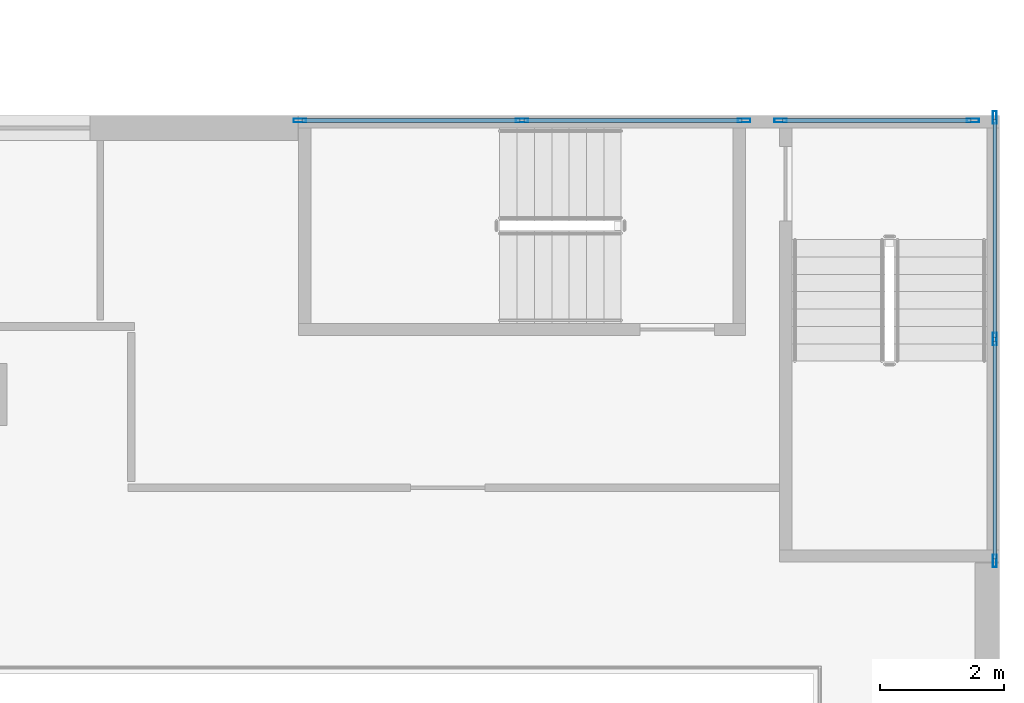
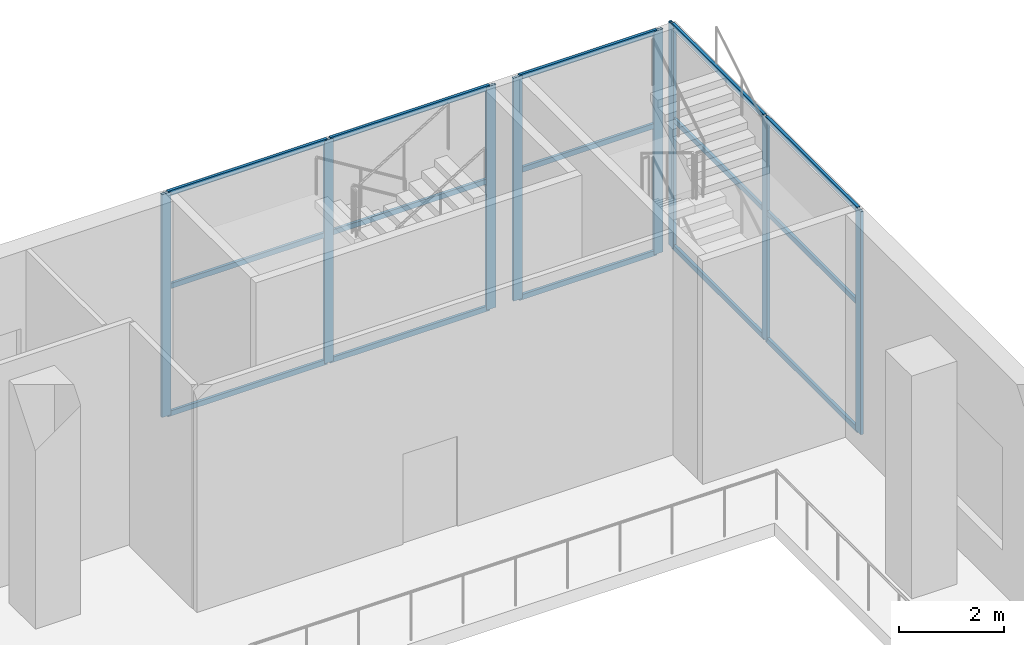
# One storey, part 7 of 23: 23 members, 3 elements without a shape of their own.
"""IFC4 building model written with IfcOpenShell, lengths in metres."""

import ifcopenshell
import ifcopenshell.guid

model = None  # the IFC model being written
_history = None  # IfcOwnerHistory: only IFC2X3 demands one
_inside = {}  # id of a spatial element -> (the spatial element, [elements in it])
_under = {}  # id of a project, library or spatial element -> (it, [spatial elements below it])
_declared = {}  # id of a project -> (the project, [libraries it declares])
_typed = {}  # id of a type object -> (the type object, [elements of that type])
_made_of = {}  # id of a material, layer set ... -> (it, [elements and type objects made of it])


def new_model(schema):
    """Start an empty IFC model of exactly this schema.

    Asked for "IFC4X3", IfcOpenShell would pick the latest addendum, in which some entities
    have other attributes; the version numbers below select the first issue.
    IFC2X3 requires an IfcOwnerHistory on every rooted entity: one is made here for all.
    """
    global model, _history
    if schema == "IFC4X3":
        model = ifcopenshell.file(schema_version=(4, 3, 0, 0))
    else:
        model = ifcopenshell.file(schema=schema)
    _inside.clear()
    _under.clear()
    _declared.clear()
    _typed.clear()
    _made_of.clear()
    _history = None
    if model.schema == "IFC2X3":
        org = make("IfcOrganization", Name="unknown")
        user = make(
            "IfcPersonAndOrganization",
            ThePerson=make("IfcPerson", FamilyName="unknown"),
            TheOrganization=org,
        )
        app = make(
            "IfcApplication",
            ApplicationDeveloper=org,
            Version="unknown",
            ApplicationFullName="unknown",
            ApplicationIdentifier="unknown",
        )
        _history = make(
            "IfcOwnerHistory",
            OwningUser=user,
            OwningApplication=app,
            ChangeAction="ADDED",
            CreationDate=0,
        )
    return model


def make(cls, **values):
    """One entity of the class cls with the attributes given. An attribute that is None is left unset."""
    return model.create_entity(
        cls, **{name: value for name, value in values.items() if value is not None}
    )


def rooted(cls, **values):
    """An entity with a GlobalId (a new one), such as an element, a storey or a relation."""
    return make(cls, GlobalId=ifcopenshell.guid.new(), OwnerHistory=_history, **values)


def si_unit(unit_type, name, prefix=None):
    """IfcSIUnit, for example si_unit("LENGTHUNIT", "METRE", prefix="MILLI")."""
    return make("IfcSIUnit", UnitType=unit_type, Prefix=prefix, Name=name)


def assignment(units):
    """IfcUnitAssignment: the units of a project."""
    return None if units is None else make("IfcUnitAssignment", Units=units)


def point(xyz):
    """IfcCartesianPoint."""
    return None if xyz is None else make("IfcCartesianPoint", Coordinates=xyz)


def direction(xyz):
    """IfcDirection."""
    return None if xyz is None else make("IfcDirection", DirectionRatios=xyz)


def frame(location, z_axis=None, x_axis=None):
    """IfcAxis2Placement3D, a coordinate frame: its origin and axes. An axis left out is left unset."""
    return make(
        "IfcAxis2Placement3D",
        Location=point(location),
        Axis=direction(z_axis),
        RefDirection=direction(x_axis),
    )


def frame_2d(location, x_axis=None):
    """IfcAxis2Placement2D, a coordinate frame in the plane: its origin and x axis."""
    return make(
        "IfcAxis2Placement2D", Location=point(location), RefDirection=direction(x_axis)
    )


def origin():
    """The frame at (0, 0, 0) with its axes left unset."""
    return frame((0.0, 0.0, 0.0))


def origin_2d():
    """The frame at (0, 0) in the plane with its x axis left unset."""
    return frame_2d((0.0, 0.0))


def place(relative_to, where):
    """IfcLocalPlacement: puts the frame where relative to a parent placement (None: the world)."""
    return make(
        "IfcLocalPlacement", PlacementRelTo=relative_to, RelativePlacement=where
    )


def context(
    kind, dimensions, precision=None, world=None, true_north=None, identifier=None
):
    """IfcGeometricRepresentationContext, for example the 3D "Model" context."""
    return make(
        "IfcGeometricRepresentationContext",
        ContextIdentifier=identifier,
        ContextType=kind,
        CoordinateSpaceDimension=dimensions,
        Precision=precision,
        WorldCoordinateSystem=world,
        TrueNorth=true_north,
    )


def subcontext(parent, identifier, kind, view, scale=None):
    """IfcGeometricRepresentationSubContext, for example "Body" below "Model"."""
    return make(
        "IfcGeometricRepresentationSubContext",
        ContextIdentifier=identifier,
        ContextType=kind,
        ParentContext=parent,
        TargetScale=scale,
        TargetView=view,
    )


def project(units=None, contexts=None):
    """IfcProject with its units and contexts."""
    return rooted(
        "IfcProject",
        Name="project",
        RepresentationContexts=contexts,
        UnitsInContext=assignment(units),
    )


def spatial(cls, under=None, at=None, **own):
    """A site, building, storey or space (cls), placed at a placement, below another one or the project."""
    s = rooted(cls, ObjectPlacement=at, **own)
    if under is not None:
        _under.setdefault(under.id(), (under, []))[1].append(s)
    return s


def profile(cls, at=None, kind="AREA", **sizes):
    """A parametric profile (cls). Its sizes go by their IFC names, for example OverallWidth=200.0."""
    return make(cls, ProfileType=kind, Position=at, **sizes)


def hollow_rectangle(**sizes):
    """IfcRectangleHollowProfileDef."""
    return profile("IfcRectangleHollowProfileDef", **sizes)


def extrude(swept, where, along, depth):
    """IfcExtrudedAreaSolid: the profile swept, set in the frame where, extruded along a direction by depth."""
    return make(
        "IfcExtrudedAreaSolid",
        SweptArea=swept,
        Position=where,
        ExtrudedDirection=direction(along),
        Depth=depth,
    )


def shape(context_of_items, identifier, shape_type, items):
    """IfcShapeRepresentation: the items that make up one representation, for example the "Body"."""
    return make(
        "IfcShapeRepresentation",
        ContextOfItems=context_of_items,
        RepresentationIdentifier=identifier,
        RepresentationType=shape_type,
        Items=items,
    )


def source(mapping_origin, context_of_items, identifier, shape_type, items):
    """IfcRepresentationMap: a shape defined once, which mapped items show again and again."""
    return make(
        "IfcRepresentationMap",
        MappingOrigin=mapping_origin,
        MappedRepresentation=shape(context_of_items, identifier, shape_type, items),
    )


def transform(
    local_origin,
    x_axis=None,
    y_axis=None,
    z_axis=None,
    scale=None,
    scale2=None,
    scale3=None,
    uniform=True,
):
    """IfcCartesianTransformationOperator3D, or its non-uniform kind. x_axis, y_axis, z_axis: its Axis1, 2, 3."""
    if uniform:
        return make(
            "IfcCartesianTransformationOperator3D",
            Axis1=direction(x_axis),
            Axis2=direction(y_axis),
            LocalOrigin=point(local_origin),
            Scale=scale,
            Axis3=direction(z_axis),
        )
    return make(
        "IfcCartesianTransformationOperator3DnonUniform",
        Axis1=direction(x_axis),
        Axis2=direction(y_axis),
        LocalOrigin=point(local_origin),
        Scale=scale,
        Axis3=direction(z_axis),
        Scale2=scale2,
        Scale3=scale3,
    )


def mapped(mapping_source, mapping_target):
    """IfcMappedItem: shows the shape of a source again, moved by a transform."""
    return make(
        "IfcMappedItem", MappingSource=mapping_source, MappingTarget=mapping_target
    )


def material(Name=None, Category=None):
    """IfcMaterial."""
    return make("IfcMaterial", Name=Name, Category=Category)


def material_profile(
    of_material, cross_section, Name=None, Category=None, Priority=None
):
    """IfcMaterialProfile: a cross section and its material."""
    return make(
        "IfcMaterialProfile",
        Name=Name,
        Material=of_material,
        Profile=cross_section,
        Priority=Priority,
        Category=Category,
    )


def profile_set(profiles, Name=None, composite=None):
    """IfcMaterialProfileSet."""
    return make(
        "IfcMaterialProfileSet",
        Name=Name,
        MaterialProfiles=profiles,
        CompositeProfile=composite,
    )


def made_of(thing, what):
    """Note that an element or type object is made of a material, layer set ...; save() writes the relation."""
    if what is not None:
        _made_of.setdefault(what.id(), (what, []))[1].append(thing)
    return thing


def type_object(cls, material=None, **own):
    """A type object (cls), such as IfcWallType, which elements share."""
    return made_of(rooted(cls, **own), material)


def element(
    cls,
    number,
    at=None,
    inside=None,
    cuts=None,
    type_object=None,
    material=None,
    context=None,
    identifier="Body",
    shape_type=None,
    held_by="IfcProductDefinitionShape",
    body=None,
    shapes=None,
    **own,
):
    """One element of the class cls, such as IfcWall. Its Tag is "e" and its number.

    at: its placement. inside: the storey or other place that contains it. cuts: it is an
    opening in that element (IfcRelVoidsElement). A single representation is given by context,
    identifier, shape_type and body (its items); several are given by shapes. held_by: the class
    of the entity that holds the representations. save() writes the other relations.
    """
    e = rooted(cls, Tag="e%d" % number, ObjectPlacement=at, **own)
    if body is not None:
        shapes = [shape(context, identifier, shape_type, body)]
    if shapes is not None:
        e.Representation = make(held_by, Representations=shapes)
    if inside is not None:
        _inside.setdefault(inside.id(), (inside, []))[1].append(e)
    if cuts is not None:
        rooted(
            "IfcRelVoidsElement", RelatingBuildingElement=cuts, RelatedOpeningElement=e
        )
    if type_object is not None:
        _typed.setdefault(type_object.id(), (type_object, []))[1].append(e)
    return made_of(e, material)


def aggregate(whole, parts):
    """IfcRelAggregates: a whole, such as a stair, and the parts it consists of."""
    return rooted("IfcRelAggregates", RelatingObject=whole, RelatedObjects=parts)


def save(model, path):
    """Write the relations noted so far, then the file.

    IfcRelAggregates (storeys below a building ...), IfcRelContainedInSpatialStructure (elements
    in a storey), IfcRelDefinesByType, IfcRelAssociatesMaterial and IfcRelDeclares: one each for
    every whole, place, type object, material and project.
    """
    for whole, parts in _under.values():
        aggregate(whole, parts)
    for where, things in _inside.values():
        rooted(
            "IfcRelContainedInSpatialStructure",
            RelatedElements=things,
            RelatingStructure=where,
        )
    for kind, things in _typed.values():
        rooted("IfcRelDefinesByType", RelatedObjects=things, RelatingType=kind)
    for what, things in _made_of.values():
        rooted("IfcRelAssociatesMaterial", RelatedObjects=things, RelatingMaterial=what)
    for by, libraries in _declared.values():
        rooted("IfcRelDeclares", RelatingContext=by, RelatedDefinitions=libraries)
    model.write(path)


model = new_model("IFC4")

# Units and contexts
model_context = context("Model", 3, precision=1e-05, world=origin(), true_north=direction((0.0, 1.0)))
body_context = subcontext(model_context, "Body", "Model", "MODEL_VIEW")
ifc_project = project(units=[si_unit("LENGTHUNIT", "METRE"), si_unit("AREAUNIT", "SQUARE_METRE"), si_unit("VOLUMEUNIT", "CUBIC_METRE"), si_unit("PLANEANGLEUNIT", "RADIAN"), si_unit("MASSUNIT", "GRAM", prefix="KILO")], contexts=[model_context])

# Site, building, storey
site_placement = place(None, origin())
site = spatial("IfcSite", under=ifc_project, at=site_placement, CompositionType="ELEMENT")
building_placement = place(site_placement, origin())
building = spatial("IfcBuilding", under=site, at=building_placement, Name="Khomas Fold Tower", CompositionType="ELEMENT")
storey_placement = place(building_placement, frame((0.0, 0.0, 7.5)))
storey = spatial("IfcBuildingStorey", under=building, at=storey_placement, Name="L01", CompositionType="ELEMENT", Elevation=7.5)

# Curtain wall, members
ifc_material_1 = material(Name="Aluminium framed double glazing", Category="aluminium")
curtain_wall_type = type_object("IfcCurtainWallType", Name="Shopfront glazing PD-CW", PredefinedType="NOTDEFINED", material=ifc_material_1)
curtain_wall_1_placement = place(storey_placement, origin())
curtain_wall_1 = element("IfcCurtainWall", 1, at=curtain_wall_1_placement, inside=storey, type_object=curtain_wall_type, Name="Podium stair-tower glazing", PredefinedType="NOTDEFINED")
ifc_material_2 = material(Name="Aluminium", Category="aluminium")
ifc_material_profile_1 = material_profile(ifc_material_2, hollow_rectangle(XDim=0.06005859375, YDim=0.199951171875, WallThickness=0.00390625, at=origin_2d()), Name="Shopfront glazing mullion PD-CW-M")
ifc_profile_set_1 = profile_set([ifc_material_profile_1], Name="Aluminium")
member_type_1 = type_object("IfcMemberType", Name="Shopfront glazing mullion PD-CW-M", PredefinedType="MULLION", material=ifc_profile_set_1)
shared_shape_1 = source(origin(), body_context, "Body", "SweptSolid", [
    extrude(hollow_rectangle(XDim=0.06005859375, YDim=0.199951171875, WallThickness=0.00390625, at=origin_2d()), origin(), (0.0, 0.0, 1.0), 5.199951171875),
])
member_1_placement = place(storey_placement, frame((80.919921875, 46.820068359375, 0.0), z_axis=(0.0, 0.0, 1.0), x_axis=(-1.0, 0.0, 0.0)))
member_1 = element("IfcMember", 2, at=member_1_placement, type_object=member_type_1, Name="PD-CW mullion 1", PredefinedType="MULLION", context=body_context, shape_type="MappedRepresentation", body=[
    mapped(shared_shape_1, transform((0.0, 0.0, 0.0))),
])
member_2_placement = place(storey_placement, frame((80.919921875, 50.39501953125, 0.0), z_axis=(0.0, 0.0, 1.0), x_axis=(-1.0, 0.0, 0.0)))
member_2 = element("IfcMember", 3, at=member_2_placement, type_object=member_type_1, Name="PD-CW mullion 2", PredefinedType="MULLION", context=body_context, shape_type="MappedRepresentation", body=[
    mapped(shared_shape_1, transform((0.0, 0.0, 0.0))),
])
member_3_placement = place(storey_placement, frame((80.919921875, 53.969970703125, 0.0), z_axis=(0.0, 0.0, 1.0), x_axis=(-1.0, 0.0, 0.0)))
member_3 = element("IfcMember", 4, at=member_3_placement, type_object=member_type_1, Name="PD-CW mullion 3", PredefinedType="MULLION", context=body_context, shape_type="MappedRepresentation", body=[
    mapped(shared_shape_1, transform((0.0, 0.0, 0.0))),
])

curtain_wall_2_placement = place(storey_placement, origin())
curtain_wall_2 = element("IfcCurtainWall", 5, at=curtain_wall_2_placement, inside=storey, type_object=curtain_wall_type, Name="Podium stair-tower glazing", PredefinedType="NOTDEFINED")
member_4_placement = place(storey_placement, frame((80.570068359375, 53.919921875, 0.0), z_axis=(0.0, 0.0, 1.0), x_axis=(0.0, -1.0, 0.0)))
member_4 = element("IfcMember", 6, at=member_4_placement, type_object=member_type_1, Name="PD-CW mullion 1", PredefinedType="MULLION", context=body_context, shape_type="MappedRepresentation", body=[
    mapped(shared_shape_1, transform((0.0, 0.0, 0.0))),
])
member_5_placement = place(storey_placement, frame((77.469970703125, 53.919921875, 0.0), z_axis=(0.0, 0.0, 1.0), x_axis=(0.0, -1.0, 0.0)))
member_5 = element("IfcMember", 7, at=member_5_placement, type_object=member_type_1, Name="PD-CW mullion 2", PredefinedType="MULLION", context=body_context, shape_type="MappedRepresentation", body=[
    mapped(shared_shape_1, transform((0.0, 0.0, 0.0))),
])

curtain_wall_3_placement = place(storey_placement, origin())
curtain_wall_3 = element("IfcCurtainWall", 8, at=curtain_wall_3_placement, inside=storey, type_object=curtain_wall_type, Name="Podium stair-tower glazing", PredefinedType="NOTDEFINED")
member_6_placement = place(storey_placement, frame((76.8798828125, 53.919921875, 0.0), z_axis=(0.0, 0.0, 1.0), x_axis=(0.0, -1.0, 0.0)))
member_6 = element("IfcMember", 9, at=member_6_placement, type_object=member_type_1, Name="PD-CW mullion 1", PredefinedType="MULLION", context=body_context, shape_type="MappedRepresentation", body=[
    mapped(shared_shape_1, transform((0.0, 0.0, 0.0))),
])
member_7_placement = place(storey_placement, frame((73.300048828125, 53.919921875, 0.0), z_axis=(0.0, 0.0, 1.0), x_axis=(0.0, -1.0, 0.0)))
member_7 = element("IfcMember", 10, at=member_7_placement, type_object=member_type_1, Name="PD-CW mullion 2", PredefinedType="MULLION", context=body_context, shape_type="MappedRepresentation", body=[
    mapped(shared_shape_1, transform((0.0, 0.0, 0.0))),
])
member_8_placement = place(storey_placement, frame((69.719970703125, 53.919921875, 0.0), z_axis=(0.0, 0.0, 1.0), x_axis=(0.0, -1.0, 0.0)))
member_8 = element("IfcMember", 11, at=member_8_placement, type_object=member_type_1, Name="PD-CW mullion 3", PredefinedType="MULLION", context=body_context, shape_type="MappedRepresentation", body=[
    mapped(shared_shape_1, transform((0.0, 0.0, 0.0))),
])

# Member
ifc_material_3 = material(Name="Aluminium", Category="aluminium")
ifc_material_profile_2 = material_profile(ifc_material_3, hollow_rectangle(XDim=0.06005859375, YDim=0.1201171875, WallThickness=0.00390625, at=origin_2d()), Name="Shopfront glazing transom PD-CW-T")
ifc_profile_set_2 = profile_set([ifc_material_profile_2], Name="Aluminium")
member_type_2 = type_object("IfcMemberType", Name="Shopfront glazing transom PD-CW-T", PredefinedType="USERDEFINED", material=ifc_profile_set_2)
shared_shape_2 = source(origin(), body_context, "Body", "SweptSolid", [
    extrude(hollow_rectangle(XDim=0.06005859375, YDim=0.1201171875, WallThickness=0.00390625, at=origin_2d()), origin(), (0.0, 0.0, 1.0), 3.0400390625),
])
member_9_placement = place(storey_placement, frame((80.5400390625, 53.919921875, 0.030029296875), z_axis=(-1.0, 0.0, 0.0), x_axis=(0.0, -1.0, 0.0)))
member_9 = element("IfcMember", 12, at=member_9_placement, type_object=member_type_2, Name="PD-CW transom 1.1", ObjectType="TRANSOM", PredefinedType="USERDEFINED", context=body_context, shape_type="MappedRepresentation", body=[
    mapped(shared_shape_2, transform((0.0, 0.0, 0.0))),
])

member_10_placement = place(storey_placement, frame((80.5400390625, 53.919921875, 3.0), z_axis=(-1.0, 0.0, 0.0), x_axis=(0.0, -1.0, 0.0)))
member_10 = element("IfcMember", 13, at=member_10_placement, type_object=member_type_2, Name="PD-CW transom 1.2", ObjectType="TRANSOM", PredefinedType="USERDEFINED", context=body_context, shape_type="MappedRepresentation", body=[
    mapped(shared_shape_2, transform((0.0, 0.0, 0.0))),
])

member_11_placement = place(storey_placement, frame((80.5400390625, 53.919921875, 5.169921875), z_axis=(-1.0, 0.0, 0.0), x_axis=(0.0, -1.0, 0.0)))
member_11 = element("IfcMember", 14, at=member_11_placement, type_object=member_type_2, Name="PD-CW transom 1.3", ObjectType="TRANSOM", PredefinedType="USERDEFINED", context=body_context, shape_type="MappedRepresentation", body=[
    mapped(shared_shape_2, transform((0.0, 0.0, 0.0))),
])

aggregate(curtain_wall_2, [member_4, member_5, member_9, member_10, member_11])

shared_shape_3 = source(origin(), body_context, "Body", "SweptSolid", [
    extrude(hollow_rectangle(XDim=0.06005859375, YDim=0.1201171875, WallThickness=0.00390625, at=origin_2d()), origin(), (0.0, 0.0, 1.0), 3.52001953125),
])
member_12_placement = place(storey_placement, frame((76.85009765625, 53.919921875, 0.030029296875), z_axis=(-1.0, 0.0, 0.0), x_axis=(0.0, -1.0, 0.0)))
member_12 = element("IfcMember", 15, at=member_12_placement, type_object=member_type_2, Name="PD-CW transom 1.1", ObjectType="TRANSOM", PredefinedType="USERDEFINED", context=body_context, shape_type="MappedRepresentation", body=[
    mapped(shared_shape_3, transform((0.0, 0.0, 0.0))),
])

member_13_placement = place(storey_placement, frame((76.85009765625, 53.919921875, 3.0), z_axis=(-1.0, 0.0, 0.0), x_axis=(0.0, -1.0, 0.0)))
member_13 = element("IfcMember", 16, at=member_13_placement, type_object=member_type_2, Name="PD-CW transom 1.2", ObjectType="TRANSOM", PredefinedType="USERDEFINED", context=body_context, shape_type="MappedRepresentation", body=[
    mapped(shared_shape_3, transform((0.0, 0.0, 0.0))),
])

member_14_placement = place(storey_placement, frame((76.85009765625, 53.919921875, 5.169921875), z_axis=(-1.0, 0.0, 0.0), x_axis=(0.0, -1.0, 0.0)))
member_14 = element("IfcMember", 17, at=member_14_placement, type_object=member_type_2, Name="PD-CW transom 1.3", ObjectType="TRANSOM", PredefinedType="USERDEFINED", context=body_context, shape_type="MappedRepresentation", body=[
    mapped(shared_shape_3, transform((0.0, 0.0, 0.0))),
])

member_15_placement = place(storey_placement, frame((73.27001953125, 53.919921875, 0.030029296875), z_axis=(-1.0, 0.0, 0.0), x_axis=(0.0, -1.0, 0.0)))
member_15 = element("IfcMember", 18, at=member_15_placement, type_object=member_type_2, Name="PD-CW transom 2.1", ObjectType="TRANSOM", PredefinedType="USERDEFINED", context=body_context, shape_type="MappedRepresentation", body=[
    mapped(shared_shape_3, transform((0.0, 0.0, 0.0))),
])

member_16_placement = place(storey_placement, frame((73.27001953125, 53.919921875, 3.0), z_axis=(-1.0, 0.0, 0.0), x_axis=(0.0, -1.0, 0.0)))
member_16 = element("IfcMember", 19, at=member_16_placement, type_object=member_type_2, Name="PD-CW transom 2.2", ObjectType="TRANSOM", PredefinedType="USERDEFINED", context=body_context, shape_type="MappedRepresentation", body=[
    mapped(shared_shape_3, transform((0.0, 0.0, 0.0))),
])

member_17_placement = place(storey_placement, frame((73.27001953125, 53.919921875, 5.169921875), z_axis=(-1.0, 0.0, 0.0), x_axis=(0.0, -1.0, 0.0)))
member_17 = element("IfcMember", 20, at=member_17_placement, type_object=member_type_2, Name="PD-CW transom 2.3", ObjectType="TRANSOM", PredefinedType="USERDEFINED", context=body_context, shape_type="MappedRepresentation", body=[
    mapped(shared_shape_3, transform((0.0, 0.0, 0.0))),
])

aggregate(curtain_wall_3, [member_6, member_7, member_8, member_12, member_13, member_14, member_15, member_16, member_17])

shared_shape_4 = source(origin(), body_context, "Body", "SweptSolid", [
    extrude(hollow_rectangle(XDim=0.06005859375, YDim=0.1201171875, WallThickness=0.00390625, at=origin_2d()), origin(), (0.0, 0.0, 1.0), 3.514892578125),
])
member_18_placement = place(storey_placement, frame((80.919921875, 46.85009765625, 0.030029296875), z_axis=(0.0, 1.0, 0.0), x_axis=(-1.0, 0.0, 0.0)))
member_18 = element("IfcMember", 21, at=member_18_placement, type_object=member_type_2, Name="PD-CW transom 1.1", ObjectType="TRANSOM", PredefinedType="USERDEFINED", context=body_context, shape_type="MappedRepresentation", body=[
    mapped(shared_shape_4, transform((0.0, 0.0, 0.0))),
])

member_19_placement = place(storey_placement, frame((80.919921875, 46.85009765625, 3.0), z_axis=(0.0, 1.0, 0.0), x_axis=(-1.0, 0.0, 0.0)))
member_19 = element("IfcMember", 22, at=member_19_placement, type_object=member_type_2, Name="PD-CW transom 1.2", ObjectType="TRANSOM", PredefinedType="USERDEFINED", context=body_context, shape_type="MappedRepresentation", body=[
    mapped(shared_shape_4, transform((0.0, 0.0, 0.0))),
])

member_20_placement = place(storey_placement, frame((80.919921875, 46.85009765625, 5.169921875), z_axis=(0.0, 1.0, 0.0), x_axis=(-1.0, 0.0, 0.0)))
member_20 = element("IfcMember", 23, at=member_20_placement, type_object=member_type_2, Name="PD-CW transom 1.3", ObjectType="TRANSOM", PredefinedType="USERDEFINED", context=body_context, shape_type="MappedRepresentation", body=[
    mapped(shared_shape_4, transform((0.0, 0.0, 0.0))),
])

member_21_placement = place(storey_placement, frame((80.919921875, 50.425048828125, 0.030029296875), z_axis=(0.0, 1.0, 0.0), x_axis=(-1.0, 0.0, 0.0)))
member_21 = element("IfcMember", 24, at=member_21_placement, type_object=member_type_2, Name="PD-CW transom 2.1", ObjectType="TRANSOM", PredefinedType="USERDEFINED", context=body_context, shape_type="MappedRepresentation", body=[
    mapped(shared_shape_4, transform((0.0, 0.0, 0.0))),
])

member_22_placement = place(storey_placement, frame((80.919921875, 50.425048828125, 3.0), z_axis=(0.0, 1.0, 0.0), x_axis=(-1.0, 0.0, 0.0)))
member_22 = element("IfcMember", 25, at=member_22_placement, type_object=member_type_2, Name="PD-CW transom 2.2", ObjectType="TRANSOM", PredefinedType="USERDEFINED", context=body_context, shape_type="MappedRepresentation", body=[
    mapped(shared_shape_4, transform((0.0, 0.0, 0.0))),
])

member_23_placement = place(storey_placement, frame((80.919921875, 50.425048828125, 5.169921875), z_axis=(0.0, 1.0, 0.0), x_axis=(-1.0, 0.0, 0.0)))
member_23 = element("IfcMember", 26, at=member_23_placement, type_object=member_type_2, Name="PD-CW transom 2.3", ObjectType="TRANSOM", PredefinedType="USERDEFINED", context=body_context, shape_type="MappedRepresentation", body=[
    mapped(shared_shape_4, transform((0.0, 0.0, 0.0))),
])

aggregate(curtain_wall_1, [member_1, member_2, member_3, member_18, member_19, member_20, member_21, member_22, member_23])

save(model, "model.ifc")
